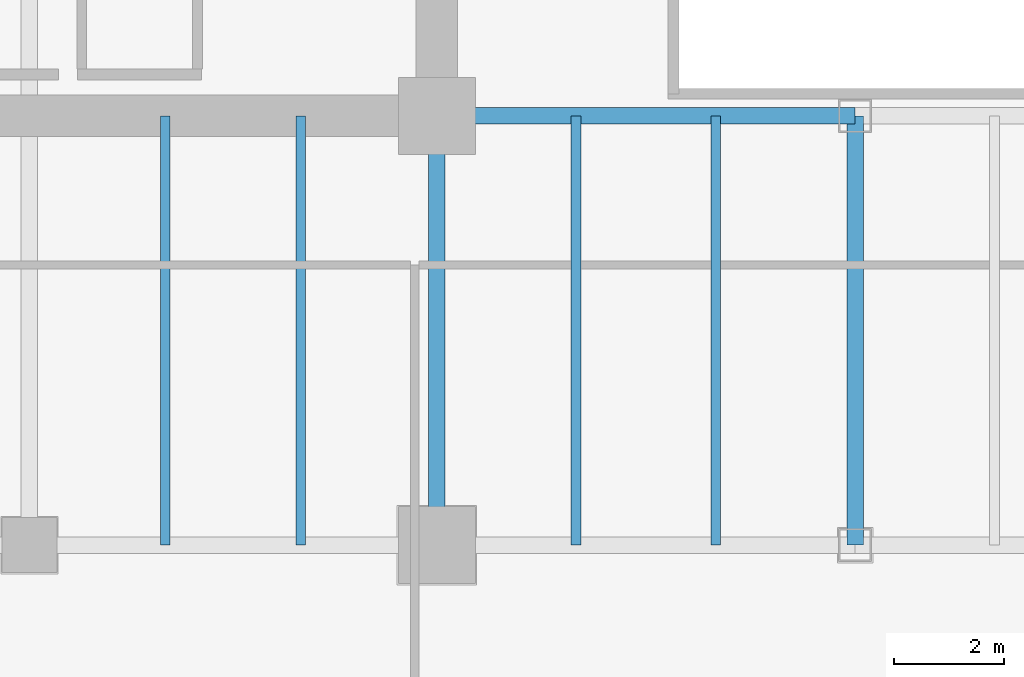
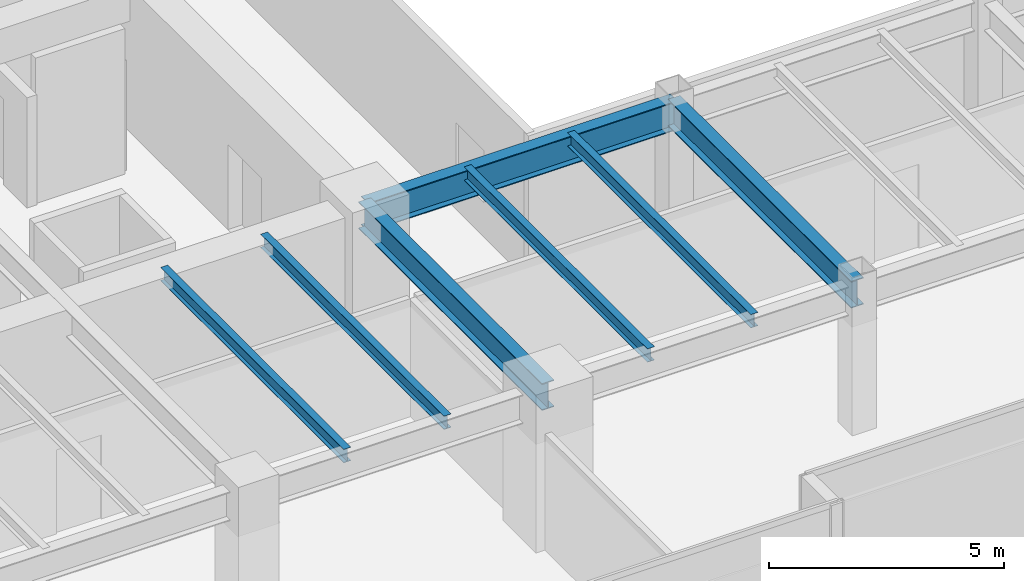
# One storey, part 5 of 36: 7 beams.
"""IFC4 building model written with IfcOpenShell, lengths in metres."""

from ifc_helpers import new_model, si_unit, direction, frame, origin, origin_2d, place, context, subcontext, project, spatial, i_section, extrude, source, transform, mapped, material, material_profile, profile_set, type_object, type_shapes, element, save


model = new_model("IFC4")

# Units and contexts
model_context = context("Model", 3, precision=1e-05, world=origin(), true_north=direction((0.0, 1.0)))
body_context = subcontext(model_context, "Body", "Model", "MODEL_VIEW")
ifc_project = project(units=[si_unit("LENGTHUNIT", "METRE"), si_unit("AREAUNIT", "SQUARE_METRE"), si_unit("VOLUMEUNIT", "CUBIC_METRE"), si_unit("PLANEANGLEUNIT", "RADIAN"), si_unit("MASSUNIT", "GRAM", prefix="KILO")], contexts=[model_context])

# Site, building, storey
site_placement = place(None, origin())
site = spatial("IfcSite", under=ifc_project, at=site_placement, CompositionType="ELEMENT")
building_placement = place(site_placement, origin())
building = spatial("IfcBuilding", under=site, at=building_placement, Name="Haelvirn Gate Laboratories", CompositionType="ELEMENT")
storey_placement = place(building_placement, frame((0.0, 0.0, 53.89990234375)))
storey = spatial("IfcBuildingStorey", under=building, at=storey_placement, Name="L13", CompositionType="ELEMENT", Elevation=53.89990234375)

# Beams
ifc_material = material(Name="Steel SM355", Category="steel")
ifc_material_profile_1 = material_profile(ifc_material, i_section(OverallWidth=0.300048828125, OverallDepth=0.699951171875, WebThickness=0.012939453125, FlangeThickness=0.02392578125, at=origin_2d()), Name="H-700x300x13x24")
ifc_profile_set_1 = profile_set([ifc_material_profile_1], Name="Steel SM355")
beam_type_1 = type_object("IfcBeamType", Name="BM-G-700", PredefinedType="BEAM", material=ifc_profile_set_1)
shared_shape_1 = source(origin(), body_context, "Body", "SweptSolid", [
    extrude(i_section(OverallWidth=0.300048828125, OverallDepth=0.699951171875, WebThickness=0.012939453125, FlangeThickness=0.02392578125, at=origin_2d()), origin(), (0.0, 0.0, 1.0), 7.800048828125),
])
type_shapes(beam_type_1, [shared_shape_1])
for number, where, z_axis, x_axis, name in (
    (1, (22.199951171875, 7.0, 3.43017578125), (0.0, 1.0, 0.0), (-1.0, 0.0, 0.0), "L13 Frame Girder X22.2 (7.0-14.8)"),
    (2, (29.800048828125, 7.0, 3.43017578125), (0.0, 1.0, 0.0), (-1.0, 0.0, 0.0), "L13 Frame Girder X29.8 (7.0-14.8)"),
):
    element("IfcBeam", number, at=place(storey_placement, frame(where, z_axis=z_axis, x_axis=x_axis)), inside=storey, type_object=beam_type_1, Name=name, PredefinedType="BEAM", context=body_context, shape_type="MappedRepresentation", body=[
        mapped(shared_shape_1, transform((0.0, 0.0, 0.0), scale=1.0)),
    ])
ifc_material_profile_2 = material_profile(ifc_material, i_section(OverallWidth=0.300048828125, OverallDepth=0.75, WebThickness=0.013916015625, FlangeThickness=0.02392578125, at=origin_2d()), Name="H-750x300x14x24")
ifc_profile_set_2 = profile_set([ifc_material_profile_2], Name="Steel SM355")
beam_type_2 = type_object("IfcBeamType", Name="BM-G-750", PredefinedType="BEAM", material=ifc_profile_set_2)
shared_shape_2 = source(origin(), body_context, "Body", "SweptSolid", [
    extrude(i_section(OverallWidth=0.300048828125, OverallDepth=0.75, WebThickness=0.013916015625, FlangeThickness=0.02392578125, at=origin_2d()), origin(), (0.0, 0.0, 1.0), 7.60009765625),
])
type_shapes(beam_type_2, [shared_shape_2])
beam_placement = place(storey_placement, frame((22.199951171875, 14.800048828125, 3.405029296875), z_axis=(1.0, 0.0, 0.0), x_axis=(0.0, 1.0, 0.0)))
element("IfcBeam", 3, at=beam_placement, inside=storey, type_object=beam_type_2, Name="L13 Primary Girder Y14.8 (22.2-29.8)", PredefinedType="BEAM", context=body_context, shape_type="MappedRepresentation", body=[
    mapped(shared_shape_2, transform((0.0, 0.0, 0.0), scale=1.0)),
])
ifc_material_profile_3 = material_profile(ifc_material, i_section(OverallWidth=0.175048828125, OverallDepth=0.35009765625, WebThickness=0.007080078125, FlangeThickness=0.010986328125, at=origin_2d()), Name="H-350x175x7x11")
ifc_profile_set_3 = profile_set([ifc_material_profile_3], Name="Steel SM355")
beam_type_3 = type_object("IfcBeamType", Name="BM-J-350", PredefinedType="JOIST", material=ifc_profile_set_3)
shared_shape_3 = source(origin(), body_context, "Body", "SweptSolid", [
    extrude(i_section(OverallWidth=0.175048828125, OverallDepth=0.35009765625, WebThickness=0.007080078125, FlangeThickness=0.010986328125, at=origin_2d()), origin(), (0.0, 0.0, 1.0), 7.800048828125),
])
type_shapes(beam_type_3, [shared_shape_3])
for number, where, z_axis, x_axis, name in (
    (4, (17.27001953125, 7.0, 3.60498046875), (0.0, 1.0, 0.0), (-1.0, 0.0, 0.0), "L13 Composite Lab Joist South X17.27"),
    (5, (19.72998046875, 7.0, 3.60498046875), (0.0, 1.0, 0.0), (-1.0, 0.0, 0.0), "L13 Composite Lab Joist South X19.73"),
    (6, (24.72998046875, 7.0, 3.60498046875), (0.0, 1.0, 0.0), (-1.0, 0.0, 0.0), "L13 Composite Lab Joist South X24.73"),
    (7, (27.27001953125, 7.0, 3.60498046875), (0.0, 1.0, 0.0), (-1.0, 0.0, 0.0), "L13 Composite Lab Joist South X27.27"),
):
    element("IfcBeam", number, at=place(storey_placement, frame(where, z_axis=z_axis, x_axis=x_axis)), inside=storey, type_object=beam_type_3, Name=name, PredefinedType="JOIST", context=body_context, shape_type="MappedRepresentation", body=[
        mapped(shared_shape_3, transform((0.0, 0.0, 0.0), scale=1.0)),
    ])

save(model, "model.ifc")
